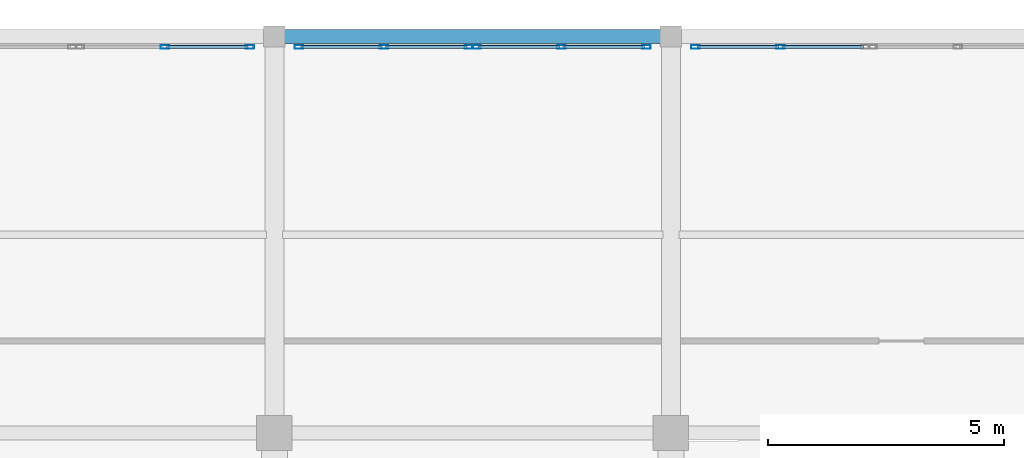
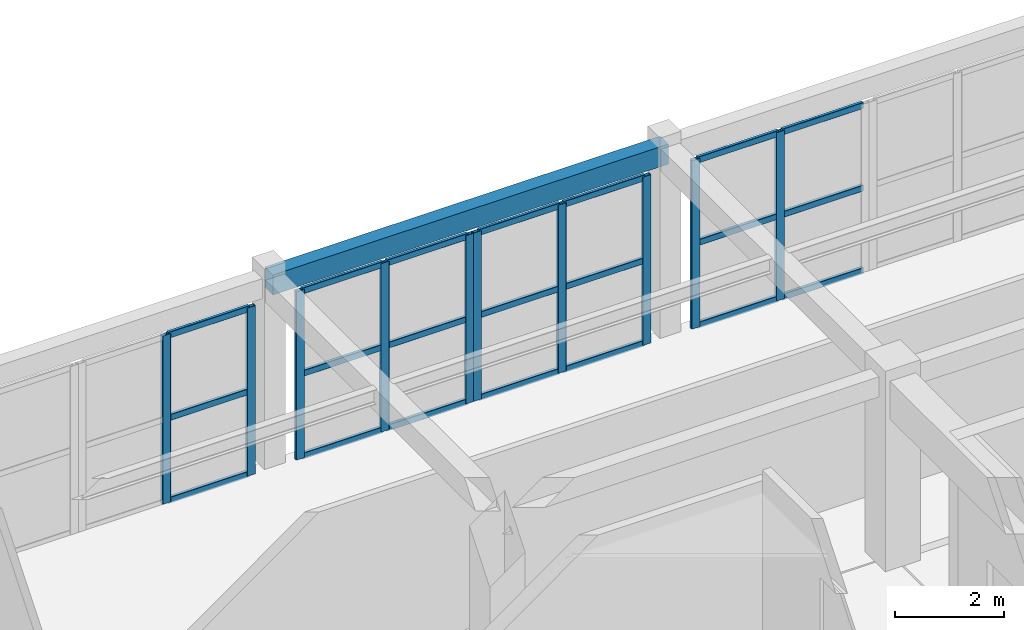
# One storey, part 47 of 91: 31 members, 1 beam, 4 elements without a shape of their own.
"""IFC4 building model written with IfcOpenShell, lengths in metres."""

from ifc_helpers import new_model, si_unit, direction, frame, origin, origin_2d, place, context, subcontext, project, spatial, rectangle, hollow_rectangle, extrude, material, layer, layer_set, material_profile, profile_set, type_object, element, aggregate, save


model = new_model("IFC4")

# Units and contexts
model_context = context("Model", 3, precision=1e-05, world=origin(), true_north=direction((0.0, 1.0)))
body_context = subcontext(model_context, "Body", "Model", "MODEL_VIEW")
ifc_project = project(units=[si_unit("LENGTHUNIT", "METRE"), si_unit("AREAUNIT", "SQUARE_METRE"), si_unit("VOLUMEUNIT", "CUBIC_METRE"), si_unit("PLANEANGLEUNIT", "RADIAN"), si_unit("MASSUNIT", "GRAM", prefix="KILO")], contexts=[model_context])

# Site, building, storey
site_placement = place(None, origin())
site = spatial("IfcSite", under=ifc_project, at=site_placement, CompositionType="ELEMENT")
building_placement = place(site_placement, origin())
building = spatial("IfcBuilding", under=site, at=building_placement, Name="Tarnavel Promenade Courthouse", CompositionType="ELEMENT")
storey_placement = place(building_placement, frame((0.0, 0.0, 9.89990234375)))
storey = spatial("IfcBuildingStorey", under=building, at=storey_placement, Name="L03", CompositionType="ELEMENT", Elevation=9.89990234375)

# Beam
ifc_material_1 = material(Name="Concrete C40/50", Category="concrete")
ifc_material_profile_1 = material_profile(ifc_material_1, rectangle(XDim=0.300048828125, YDim=0.449951171875, at=origin_2d()), Name="RC 300x450")
ifc_profile_set_1 = profile_set([ifc_material_profile_1], Name="Concrete C40/50")
beam_type = type_object("IfcBeamType", Name="Concrete C40/50 BM-SP-300x450 (RC 300x450)", PredefinedType="SPANDREL", material=ifc_profile_set_1)
beam_placement = place(storey_placement, frame((67.199951171875, 112.800048828125, 4.02001953125), z_axis=(1.0, 0.0, 0.0), x_axis=(0.0, 1.0, 0.0)))
element("IfcBeam", 1, at=beam_placement, inside=storey, type_object=beam_type, Name="L03 Primary Longitudinal Beam 1678", PredefinedType="SPANDREL", context=body_context, shape_type="SweptSolid", body=[
    extrude(rectangle(XDim=0.300048828125, YDim=0.449951171875, at=origin_2d()), origin(), (0.0, 0.0, 1.0), 8.400146484375),
])

# Curtain wall, members
ifc_material_2 = material(Name="Thermally Broken Anodised Aluminium Curtain Wall System", Category="aluminium")
ifc_layer = layer(ifc_material_2, 0.199951171875)
ifc_layer_set = layer_set([ifc_layer], Name="Thermally Broken Anodised Aluminium Curtain Wall System")
curtain_wall_type = type_object("IfcCurtainWallType", Name="Thermally Broken Aluminium Triple-Glazed Curtain Wall CW-FOYER", PredefinedType="NOTDEFINED", material=ifc_layer_set)
curtain_wall_1_placement = place(storey_placement, origin())
curtain_wall_1 = element("IfcCurtainWall", 2, at=curtain_wall_1_placement, inside=storey, type_object=curtain_wall_type, Name="L03 North Foyer Curtain Wall B 141", PredefinedType="NOTDEFINED")
ifc_material_3 = material(Name="Thermally Broken Anodised Aluminium Frame", Category="aluminium")
ifc_material_profile_2 = material_profile(ifc_material_3, hollow_rectangle(XDim=0.080078125, YDim=0.179931640625, WallThickness=0.0048828125, InnerFilletRadius=0.0048828125, OuterFilletRadius=0.010009765625, at=origin_2d()), Name="CWM 180x80x5")
ifc_profile_set_2 = profile_set([ifc_material_profile_2], Name="Thermally Broken Anodised Aluminium Frame")
member_type_1 = type_object("IfcMemberType", Name="Thermally Broken Anodised Aluminium CWM-155 (CWM 180x80x5)", PredefinedType="MULLION", material=ifc_profile_set_2)
member_1_placement = place(storey_placement, frame((64.8798828125, 112.580078125, 0.0), z_axis=(0.0, 0.0, 1.0), x_axis=(0.0, 1.0, 0.0)))
member_1 = element("IfcMember", 3, at=member_1_placement, type_object=member_type_1, Name="CW-04 mullion 2", PredefinedType="MULLION", context=body_context, shape_type="SweptSolid", body=[
    extrude(hollow_rectangle(XDim=0.080078125, YDim=0.179931640625, WallThickness=0.0048828125, InnerFilletRadius=0.0048828125, OuterFilletRadius=0.010009765625, at=origin_2d()), origin(), (0.0, 0.0, 1.0), 3.780029296875),
])
member_2_placement = place(storey_placement, frame((66.679931640625, 112.580078125, 0.0), z_axis=(0.0, 0.0, 1.0), x_axis=(0.0, 1.0, 0.0)))
member_2 = element("IfcMember", 4, at=member_2_placement, type_object=member_type_1, Name="CW-04 mullion 3", PredefinedType="MULLION", context=body_context, shape_type="SweptSolid", body=[
    extrude(hollow_rectangle(XDim=0.080078125, YDim=0.179931640625, WallThickness=0.0048828125, InnerFilletRadius=0.0048828125, OuterFilletRadius=0.010009765625, at=origin_2d()), origin(), (0.0, 0.0, 1.0), 3.780029296875),
])

curtain_wall_2_placement = place(storey_placement, origin())
curtain_wall_2 = element("IfcCurtainWall", 5, at=curtain_wall_2_placement, inside=storey, type_object=curtain_wall_type, Name="L03 North Foyer Curtain Wall A 142", PredefinedType="NOTDEFINED")
member_3_placement = place(storey_placement, frame((67.719970703125, 112.580078125, 0.0), z_axis=(0.0, 0.0, 1.0), x_axis=(0.0, 1.0, 0.0)))
member_3 = element("IfcMember", 6, at=member_3_placement, type_object=member_type_1, Name="CW-04 mullion 1", PredefinedType="MULLION", context=body_context, shape_type="SweptSolid", body=[
    extrude(hollow_rectangle(XDim=0.080078125, YDim=0.179931640625, WallThickness=0.0048828125, InnerFilletRadius=0.0048828125, OuterFilletRadius=0.010009765625, at=origin_2d()), origin(), (0.0, 0.0, 1.0), 3.780029296875),
])
member_4_placement = place(storey_placement, frame((69.52001953125, 112.580078125, 0.0), z_axis=(0.0, 0.0, 1.0), x_axis=(0.0, 1.0, 0.0)))
member_4 = element("IfcMember", 7, at=member_4_placement, type_object=member_type_1, Name="CW-04 mullion 2", PredefinedType="MULLION", context=body_context, shape_type="SweptSolid", body=[
    extrude(hollow_rectangle(XDim=0.080078125, YDim=0.179931640625, WallThickness=0.0048828125, InnerFilletRadius=0.0048828125, OuterFilletRadius=0.010009765625, at=origin_2d()), origin(), (0.0, 0.0, 1.0), 3.780029296875),
])
member_5_placement = place(storey_placement, frame((71.320068359375, 112.580078125, 0.0), z_axis=(0.0, 0.0, 1.0), x_axis=(0.0, 1.0, 0.0)))
member_5 = element("IfcMember", 8, at=member_5_placement, type_object=member_type_1, Name="CW-04 mullion 3", PredefinedType="MULLION", context=body_context, shape_type="SweptSolid", body=[
    extrude(hollow_rectangle(XDim=0.080078125, YDim=0.179931640625, WallThickness=0.0048828125, InnerFilletRadius=0.0048828125, OuterFilletRadius=0.010009765625, at=origin_2d()), origin(), (0.0, 0.0, 1.0), 3.780029296875),
])

curtain_wall_3_placement = place(storey_placement, origin())
curtain_wall_3 = element("IfcCurtainWall", 9, at=curtain_wall_3_placement, inside=storey, type_object=curtain_wall_type, Name="L03 North Foyer Curtain Wall B 143", PredefinedType="NOTDEFINED")
member_6_placement = place(storey_placement, frame((71.47998046875, 112.580078125, 0.0), z_axis=(0.0, 0.0, 1.0), x_axis=(0.0, 1.0, 0.0)))
member_6 = element("IfcMember", 10, at=member_6_placement, type_object=member_type_1, Name="CW-04 mullion 1", PredefinedType="MULLION", context=body_context, shape_type="SweptSolid", body=[
    extrude(hollow_rectangle(XDim=0.080078125, YDim=0.179931640625, WallThickness=0.0048828125, InnerFilletRadius=0.0048828125, OuterFilletRadius=0.010009765625, at=origin_2d()), origin(), (0.0, 0.0, 1.0), 3.780029296875),
])
member_7_placement = place(storey_placement, frame((73.280029296875, 112.580078125, 0.0), z_axis=(0.0, 0.0, 1.0), x_axis=(0.0, 1.0, 0.0)))
member_7 = element("IfcMember", 11, at=member_7_placement, type_object=member_type_1, Name="CW-04 mullion 2", PredefinedType="MULLION", context=body_context, shape_type="SweptSolid", body=[
    extrude(hollow_rectangle(XDim=0.080078125, YDim=0.179931640625, WallThickness=0.0048828125, InnerFilletRadius=0.0048828125, OuterFilletRadius=0.010009765625, at=origin_2d()), origin(), (0.0, 0.0, 1.0), 3.780029296875),
])
member_8_placement = place(storey_placement, frame((75.080078125, 112.580078125, 0.0), z_axis=(0.0, 0.0, 1.0), x_axis=(0.0, 1.0, 0.0)))
member_8 = element("IfcMember", 12, at=member_8_placement, type_object=member_type_1, Name="CW-04 mullion 3", PredefinedType="MULLION", context=body_context, shape_type="SweptSolid", body=[
    extrude(hollow_rectangle(XDim=0.080078125, YDim=0.179931640625, WallThickness=0.0048828125, InnerFilletRadius=0.0048828125, OuterFilletRadius=0.010009765625, at=origin_2d()), origin(), (0.0, 0.0, 1.0), 3.780029296875),
])

curtain_wall_4_placement = place(storey_placement, origin())
curtain_wall_4 = element("IfcCurtainWall", 13, at=curtain_wall_4_placement, inside=storey, type_object=curtain_wall_type, Name="L03 North Foyer Curtain Wall A 144", PredefinedType="NOTDEFINED")
member_9_placement = place(storey_placement, frame((76.1201171875, 112.580078125, 0.0), z_axis=(0.0, 0.0, 1.0), x_axis=(0.0, 1.0, 0.0)))
member_9 = element("IfcMember", 14, at=member_9_placement, type_object=member_type_1, Name="CW-04 mullion 1", PredefinedType="MULLION", context=body_context, shape_type="SweptSolid", body=[
    extrude(hollow_rectangle(XDim=0.080078125, YDim=0.179931640625, WallThickness=0.0048828125, InnerFilletRadius=0.0048828125, OuterFilletRadius=0.010009765625, at=origin_2d()), origin(), (0.0, 0.0, 1.0), 3.780029296875),
])
member_10_placement = place(storey_placement, frame((77.919921875, 112.580078125, 0.0), z_axis=(0.0, 0.0, 1.0), x_axis=(0.0, 1.0, 0.0)))
member_10 = element("IfcMember", 15, at=member_10_placement, type_object=member_type_1, Name="CW-04 mullion 2", PredefinedType="MULLION", context=body_context, shape_type="SweptSolid", body=[
    extrude(hollow_rectangle(XDim=0.080078125, YDim=0.179931640625, WallThickness=0.0048828125, InnerFilletRadius=0.0048828125, OuterFilletRadius=0.010009765625, at=origin_2d()), origin(), (0.0, 0.0, 1.0), 3.780029296875),
])

# Member
ifc_material_profile_3 = material_profile(ifc_material_3, hollow_rectangle(XDim=0.070068359375, YDim=0.139892578125, WallThickness=0.0048828125, InnerFilletRadius=0.0048828125, OuterFilletRadius=0.010009765625, at=origin_2d()), Name="CWT 140x70x5")
ifc_profile_set_3 = profile_set([ifc_material_profile_3], Name="Thermally Broken Anodised Aluminium Frame")
member_type_2 = type_object("IfcMemberType", Name="Thermally Broken Anodised Aluminium CWT-125 (CWT 140x70x5)", PredefinedType="USERDEFINED", material=ifc_profile_set_3)
member_11_placement = place(storey_placement, frame((64.919921875, 112.580078125, 0.03515625), z_axis=(1.0, 0.0, 0.0), x_axis=(0.0, 1.0, 0.0)))
member_11 = element("IfcMember", 16, at=member_11_placement, type_object=member_type_2, Name="CW-04 transom 2.1", ObjectType="TRANSOM", PredefinedType="USERDEFINED", context=body_context, shape_type="SweptSolid", body=[
    extrude(hollow_rectangle(XDim=0.070068359375, YDim=0.139892578125, WallThickness=0.0048828125, InnerFilletRadius=0.0048828125, OuterFilletRadius=0.010009765625, at=origin_2d()), origin(), (0.0, 0.0, 1.0), 1.719970703125),
])

member_12_placement = place(storey_placement, frame((64.919921875, 112.580078125, 1.89013671875), z_axis=(1.0, 0.0, 0.0), x_axis=(0.0, 1.0, 0.0)))
member_12 = element("IfcMember", 17, at=member_12_placement, type_object=member_type_2, Name="CW-04 transom 2.2", ObjectType="TRANSOM", PredefinedType="USERDEFINED", context=body_context, shape_type="SweptSolid", body=[
    extrude(hollow_rectangle(XDim=0.070068359375, YDim=0.139892578125, WallThickness=0.0048828125, InnerFilletRadius=0.0048828125, OuterFilletRadius=0.010009765625, at=origin_2d()), origin(), (0.0, 0.0, 1.0), 1.719970703125),
])

member_13_placement = place(storey_placement, frame((64.919921875, 112.580078125, 3.7451171875), z_axis=(1.0, 0.0, 0.0), x_axis=(0.0, 1.0, 0.0)))
member_13 = element("IfcMember", 18, at=member_13_placement, type_object=member_type_2, Name="CW-04 transom 2.3", ObjectType="TRANSOM", PredefinedType="USERDEFINED", context=body_context, shape_type="SweptSolid", body=[
    extrude(hollow_rectangle(XDim=0.070068359375, YDim=0.139892578125, WallThickness=0.0048828125, InnerFilletRadius=0.0048828125, OuterFilletRadius=0.010009765625, at=origin_2d()), origin(), (0.0, 0.0, 1.0), 1.719970703125),
])

aggregate(curtain_wall_1, [member_1, member_2, member_11, member_12, member_13])

member_14_placement = place(storey_placement, frame((67.760009765625, 112.580078125, 0.03515625), z_axis=(1.0, 0.0, 0.0), x_axis=(0.0, 1.0, 0.0)))
member_14 = element("IfcMember", 19, at=member_14_placement, type_object=member_type_2, Name="CW-04 transom 1.1", ObjectType="TRANSOM", PredefinedType="USERDEFINED", context=body_context, shape_type="SweptSolid", body=[
    extrude(hollow_rectangle(XDim=0.070068359375, YDim=0.139892578125, WallThickness=0.0048828125, InnerFilletRadius=0.0048828125, OuterFilletRadius=0.010009765625, at=origin_2d()), origin(), (0.0, 0.0, 1.0), 1.719970703125),
])

member_15_placement = place(storey_placement, frame((67.760009765625, 112.580078125, 1.89013671875), z_axis=(1.0, 0.0, 0.0), x_axis=(0.0, 1.0, 0.0)))
member_15 = element("IfcMember", 20, at=member_15_placement, type_object=member_type_2, Name="CW-04 transom 1.2", ObjectType="TRANSOM", PredefinedType="USERDEFINED", context=body_context, shape_type="SweptSolid", body=[
    extrude(hollow_rectangle(XDim=0.070068359375, YDim=0.139892578125, WallThickness=0.0048828125, InnerFilletRadius=0.0048828125, OuterFilletRadius=0.010009765625, at=origin_2d()), origin(), (0.0, 0.0, 1.0), 1.719970703125),
])

member_16_placement = place(storey_placement, frame((67.760009765625, 112.580078125, 3.7451171875), z_axis=(1.0, 0.0, 0.0), x_axis=(0.0, 1.0, 0.0)))
member_16 = element("IfcMember", 21, at=member_16_placement, type_object=member_type_2, Name="CW-04 transom 1.3", ObjectType="TRANSOM", PredefinedType="USERDEFINED", context=body_context, shape_type="SweptSolid", body=[
    extrude(hollow_rectangle(XDim=0.070068359375, YDim=0.139892578125, WallThickness=0.0048828125, InnerFilletRadius=0.0048828125, OuterFilletRadius=0.010009765625, at=origin_2d()), origin(), (0.0, 0.0, 1.0), 1.719970703125),
])

member_17_placement = place(storey_placement, frame((69.56005859375, 112.580078125, 0.03515625), z_axis=(1.0, 0.0, 0.0), x_axis=(0.0, 1.0, 0.0)))
member_17 = element("IfcMember", 22, at=member_17_placement, type_object=member_type_2, Name="CW-04 transom 2.1", ObjectType="TRANSOM", PredefinedType="USERDEFINED", context=body_context, shape_type="SweptSolid", body=[
    extrude(hollow_rectangle(XDim=0.070068359375, YDim=0.139892578125, WallThickness=0.0048828125, InnerFilletRadius=0.0048828125, OuterFilletRadius=0.010009765625, at=origin_2d()), origin(), (0.0, 0.0, 1.0), 1.719970703125),
])

member_18_placement = place(storey_placement, frame((69.56005859375, 112.580078125, 1.89013671875), z_axis=(1.0, 0.0, 0.0), x_axis=(0.0, 1.0, 0.0)))
member_18 = element("IfcMember", 23, at=member_18_placement, type_object=member_type_2, Name="CW-04 transom 2.2", ObjectType="TRANSOM", PredefinedType="USERDEFINED", context=body_context, shape_type="SweptSolid", body=[
    extrude(hollow_rectangle(XDim=0.070068359375, YDim=0.139892578125, WallThickness=0.0048828125, InnerFilletRadius=0.0048828125, OuterFilletRadius=0.010009765625, at=origin_2d()), origin(), (0.0, 0.0, 1.0), 1.719970703125),
])

member_19_placement = place(storey_placement, frame((69.56005859375, 112.580078125, 3.7451171875), z_axis=(1.0, 0.0, 0.0), x_axis=(0.0, 1.0, 0.0)))
member_19 = element("IfcMember", 24, at=member_19_placement, type_object=member_type_2, Name="CW-04 transom 2.3", ObjectType="TRANSOM", PredefinedType="USERDEFINED", context=body_context, shape_type="SweptSolid", body=[
    extrude(hollow_rectangle(XDim=0.070068359375, YDim=0.139892578125, WallThickness=0.0048828125, InnerFilletRadius=0.0048828125, OuterFilletRadius=0.010009765625, at=origin_2d()), origin(), (0.0, 0.0, 1.0), 1.719970703125),
])

aggregate(curtain_wall_2, [member_3, member_4, member_5, member_14, member_15, member_16, member_17, member_18, member_19])

member_20_placement = place(storey_placement, frame((71.52001953125, 112.580078125, 0.03515625), z_axis=(1.0, 0.0, 0.0), x_axis=(0.0, 1.0, 0.0)))
member_20 = element("IfcMember", 25, at=member_20_placement, type_object=member_type_2, Name="CW-04 transom 1.1", ObjectType="TRANSOM", PredefinedType="USERDEFINED", context=body_context, shape_type="SweptSolid", body=[
    extrude(hollow_rectangle(XDim=0.070068359375, YDim=0.139892578125, WallThickness=0.0048828125, InnerFilletRadius=0.0048828125, OuterFilletRadius=0.010009765625, at=origin_2d()), origin(), (0.0, 0.0, 1.0), 1.719970703125),
])

member_21_placement = place(storey_placement, frame((71.52001953125, 112.580078125, 1.89013671875), z_axis=(1.0, 0.0, 0.0), x_axis=(0.0, 1.0, 0.0)))
member_21 = element("IfcMember", 26, at=member_21_placement, type_object=member_type_2, Name="CW-04 transom 1.2", ObjectType="TRANSOM", PredefinedType="USERDEFINED", context=body_context, shape_type="SweptSolid", body=[
    extrude(hollow_rectangle(XDim=0.070068359375, YDim=0.139892578125, WallThickness=0.0048828125, InnerFilletRadius=0.0048828125, OuterFilletRadius=0.010009765625, at=origin_2d()), origin(), (0.0, 0.0, 1.0), 1.719970703125),
])

member_22_placement = place(storey_placement, frame((71.52001953125, 112.580078125, 3.7451171875), z_axis=(1.0, 0.0, 0.0), x_axis=(0.0, 1.0, 0.0)))
member_22 = element("IfcMember", 27, at=member_22_placement, type_object=member_type_2, Name="CW-04 transom 1.3", ObjectType="TRANSOM", PredefinedType="USERDEFINED", context=body_context, shape_type="SweptSolid", body=[
    extrude(hollow_rectangle(XDim=0.070068359375, YDim=0.139892578125, WallThickness=0.0048828125, InnerFilletRadius=0.0048828125, OuterFilletRadius=0.010009765625, at=origin_2d()), origin(), (0.0, 0.0, 1.0), 1.719970703125),
])

member_23_placement = place(storey_placement, frame((73.320068359375, 112.580078125, 0.03515625), z_axis=(1.0, 0.0, 0.0), x_axis=(0.0, 1.0, 0.0)))
member_23 = element("IfcMember", 28, at=member_23_placement, type_object=member_type_2, Name="CW-04 transom 2.1", ObjectType="TRANSOM", PredefinedType="USERDEFINED", context=body_context, shape_type="SweptSolid", body=[
    extrude(hollow_rectangle(XDim=0.070068359375, YDim=0.139892578125, WallThickness=0.0048828125, InnerFilletRadius=0.0048828125, OuterFilletRadius=0.010009765625, at=origin_2d()), origin(), (0.0, 0.0, 1.0), 1.719970703125),
])

member_24_placement = place(storey_placement, frame((73.320068359375, 112.580078125, 1.89013671875), z_axis=(1.0, 0.0, 0.0), x_axis=(0.0, 1.0, 0.0)))
member_24 = element("IfcMember", 29, at=member_24_placement, type_object=member_type_2, Name="CW-04 transom 2.2", ObjectType="TRANSOM", PredefinedType="USERDEFINED", context=body_context, shape_type="SweptSolid", body=[
    extrude(hollow_rectangle(XDim=0.070068359375, YDim=0.139892578125, WallThickness=0.0048828125, InnerFilletRadius=0.0048828125, OuterFilletRadius=0.010009765625, at=origin_2d()), origin(), (0.0, 0.0, 1.0), 1.719970703125),
])

member_25_placement = place(storey_placement, frame((73.320068359375, 112.580078125, 3.7451171875), z_axis=(1.0, 0.0, 0.0), x_axis=(0.0, 1.0, 0.0)))
member_25 = element("IfcMember", 30, at=member_25_placement, type_object=member_type_2, Name="CW-04 transom 2.3", ObjectType="TRANSOM", PredefinedType="USERDEFINED", context=body_context, shape_type="SweptSolid", body=[
    extrude(hollow_rectangle(XDim=0.070068359375, YDim=0.139892578125, WallThickness=0.0048828125, InnerFilletRadius=0.0048828125, OuterFilletRadius=0.010009765625, at=origin_2d()), origin(), (0.0, 0.0, 1.0), 1.719970703125),
])

aggregate(curtain_wall_3, [member_6, member_7, member_8, member_20, member_21, member_22, member_23, member_24, member_25])

member_26_placement = place(storey_placement, frame((76.159912109375, 112.580078125, 0.03515625), z_axis=(1.0, 0.0, 0.0), x_axis=(0.0, 1.0, 0.0)))
member_26 = element("IfcMember", 31, at=member_26_placement, type_object=member_type_2, Name="CW-04 transom 1.1", ObjectType="TRANSOM", PredefinedType="USERDEFINED", context=body_context, shape_type="SweptSolid", body=[
    extrude(hollow_rectangle(XDim=0.070068359375, YDim=0.139892578125, WallThickness=0.0048828125, InnerFilletRadius=0.0048828125, OuterFilletRadius=0.010009765625, at=origin_2d()), origin(), (0.0, 0.0, 1.0), 1.719970703125),
])

member_27_placement = place(storey_placement, frame((76.159912109375, 112.580078125, 1.89013671875), z_axis=(1.0, 0.0, 0.0), x_axis=(0.0, 1.0, 0.0)))
member_27 = element("IfcMember", 32, at=member_27_placement, type_object=member_type_2, Name="CW-04 transom 1.2", ObjectType="TRANSOM", PredefinedType="USERDEFINED", context=body_context, shape_type="SweptSolid", body=[
    extrude(hollow_rectangle(XDim=0.070068359375, YDim=0.139892578125, WallThickness=0.0048828125, InnerFilletRadius=0.0048828125, OuterFilletRadius=0.010009765625, at=origin_2d()), origin(), (0.0, 0.0, 1.0), 1.719970703125),
])

member_28_placement = place(storey_placement, frame((76.159912109375, 112.580078125, 3.7451171875), z_axis=(1.0, 0.0, 0.0), x_axis=(0.0, 1.0, 0.0)))
member_28 = element("IfcMember", 33, at=member_28_placement, type_object=member_type_2, Name="CW-04 transom 1.3", ObjectType="TRANSOM", PredefinedType="USERDEFINED", context=body_context, shape_type="SweptSolid", body=[
    extrude(hollow_rectangle(XDim=0.070068359375, YDim=0.139892578125, WallThickness=0.0048828125, InnerFilletRadius=0.0048828125, OuterFilletRadius=0.010009765625, at=origin_2d()), origin(), (0.0, 0.0, 1.0), 1.719970703125),
])

member_29_placement = place(storey_placement, frame((77.9599609375, 112.580078125, 0.03515625), z_axis=(1.0, 0.0, 0.0), x_axis=(0.0, 1.0, 0.0)))
member_29 = element("IfcMember", 34, at=member_29_placement, type_object=member_type_2, Name="CW-04 transom 2.1", ObjectType="TRANSOM", PredefinedType="USERDEFINED", context=body_context, shape_type="SweptSolid", body=[
    extrude(hollow_rectangle(XDim=0.070068359375, YDim=0.139892578125, WallThickness=0.0048828125, InnerFilletRadius=0.0048828125, OuterFilletRadius=0.010009765625, at=origin_2d()), origin(), (0.0, 0.0, 1.0), 1.719970703125),
])

member_30_placement = place(storey_placement, frame((77.9599609375, 112.580078125, 1.89013671875), z_axis=(1.0, 0.0, 0.0), x_axis=(0.0, 1.0, 0.0)))
member_30 = element("IfcMember", 35, at=member_30_placement, type_object=member_type_2, Name="CW-04 transom 2.2", ObjectType="TRANSOM", PredefinedType="USERDEFINED", context=body_context, shape_type="SweptSolid", body=[
    extrude(hollow_rectangle(XDim=0.070068359375, YDim=0.139892578125, WallThickness=0.0048828125, InnerFilletRadius=0.0048828125, OuterFilletRadius=0.010009765625, at=origin_2d()), origin(), (0.0, 0.0, 1.0), 1.719970703125),
])

member_31_placement = place(storey_placement, frame((77.9599609375, 112.580078125, 3.7451171875), z_axis=(1.0, 0.0, 0.0), x_axis=(0.0, 1.0, 0.0)))
member_31 = element("IfcMember", 36, at=member_31_placement, type_object=member_type_2, Name="CW-04 transom 2.3", ObjectType="TRANSOM", PredefinedType="USERDEFINED", context=body_context, shape_type="SweptSolid", body=[
    extrude(hollow_rectangle(XDim=0.070068359375, YDim=0.139892578125, WallThickness=0.0048828125, InnerFilletRadius=0.0048828125, OuterFilletRadius=0.010009765625, at=origin_2d()), origin(), (0.0, 0.0, 1.0), 1.719970703125),
])

aggregate(curtain_wall_4, [member_9, member_10, member_26, member_27, member_28, member_29, member_30, member_31])

save(model, "model.ifc")
